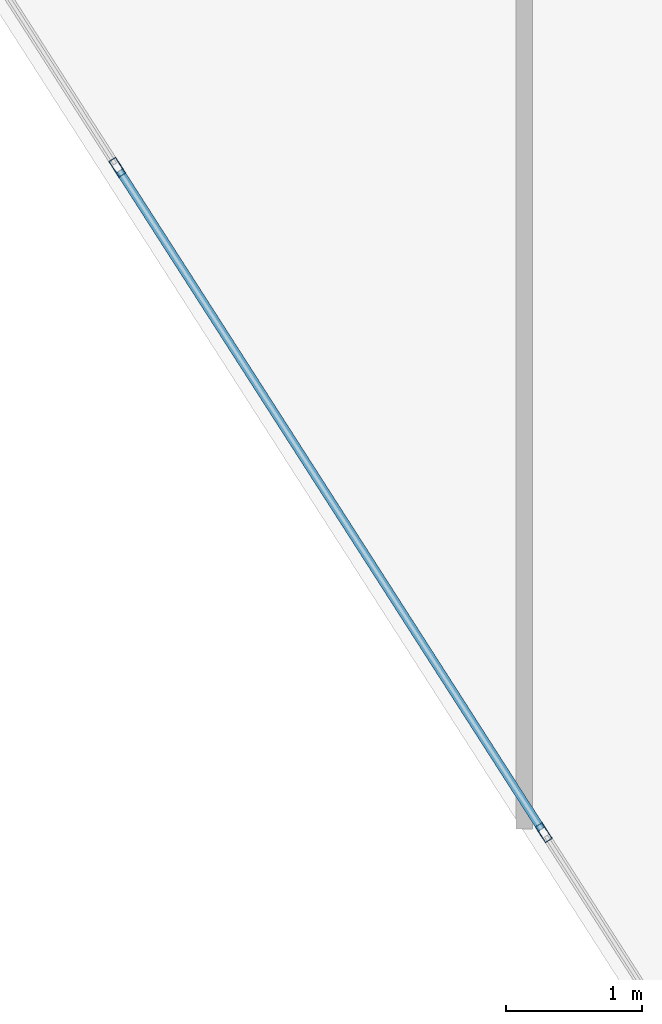
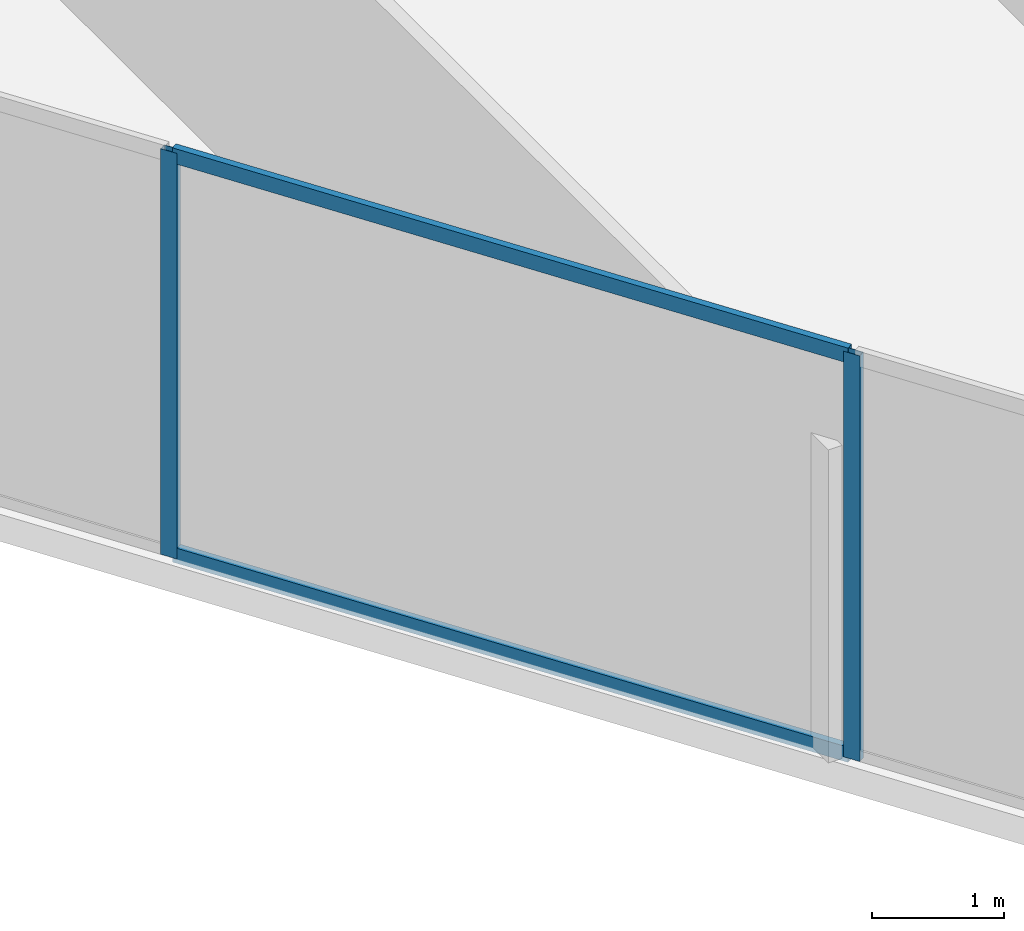
# One storey, part 17 of 26: 4 members, 1 element without a shape of its own.
"""IFC4 building model written with IfcOpenShell, lengths in metres."""

import ifcopenshell
import ifcopenshell.guid

model = None  # the IFC model being written
_history = None  # IfcOwnerHistory: only IFC2X3 demands one
_inside = {}  # id of a spatial element -> (the spatial element, [elements in it])
_under = {}  # id of a project, library or spatial element -> (it, [spatial elements below it])
_declared = {}  # id of a project -> (the project, [libraries it declares])
_typed = {}  # id of a type object -> (the type object, [elements of that type])
_made_of = {}  # id of a material, layer set ... -> (it, [elements and type objects made of it])


def new_model(schema):
    """Start an empty IFC model of exactly this schema.

    Asked for "IFC4X3", IfcOpenShell would pick the latest addendum, in which some entities
    have other attributes; the version numbers below select the first issue.
    IFC2X3 requires an IfcOwnerHistory on every rooted entity: one is made here for all.
    """
    global model, _history
    if schema == "IFC4X3":
        model = ifcopenshell.file(schema_version=(4, 3, 0, 0))
    else:
        model = ifcopenshell.file(schema=schema)
    _inside.clear()
    _under.clear()
    _declared.clear()
    _typed.clear()
    _made_of.clear()
    _history = None
    if model.schema == "IFC2X3":
        org = make("IfcOrganization", Name="unknown")
        user = make(
            "IfcPersonAndOrganization",
            ThePerson=make("IfcPerson", FamilyName="unknown"),
            TheOrganization=org,
        )
        app = make(
            "IfcApplication",
            ApplicationDeveloper=org,
            Version="unknown",
            ApplicationFullName="unknown",
            ApplicationIdentifier="unknown",
        )
        _history = make(
            "IfcOwnerHistory",
            OwningUser=user,
            OwningApplication=app,
            ChangeAction="ADDED",
            CreationDate=0,
        )
    return model


def make(cls, **values):
    """One entity of the class cls with the attributes given. An attribute that is None is left unset."""
    return model.create_entity(
        cls, **{name: value for name, value in values.items() if value is not None}
    )


def rooted(cls, **values):
    """An entity with a GlobalId (a new one), such as an element, a storey or a relation."""
    return make(cls, GlobalId=ifcopenshell.guid.new(), OwnerHistory=_history, **values)


def si_unit(unit_type, name, prefix=None):
    """IfcSIUnit, for example si_unit("LENGTHUNIT", "METRE", prefix="MILLI")."""
    return make("IfcSIUnit", UnitType=unit_type, Prefix=prefix, Name=name)


def assignment(units):
    """IfcUnitAssignment: the units of a project."""
    return None if units is None else make("IfcUnitAssignment", Units=units)


def point(xyz):
    """IfcCartesianPoint."""
    return None if xyz is None else make("IfcCartesianPoint", Coordinates=xyz)


def direction(xyz):
    """IfcDirection."""
    return None if xyz is None else make("IfcDirection", DirectionRatios=xyz)


def frame(location, z_axis=None, x_axis=None):
    """IfcAxis2Placement3D, a coordinate frame: its origin and axes. An axis left out is left unset."""
    return make(
        "IfcAxis2Placement3D",
        Location=point(location),
        Axis=direction(z_axis),
        RefDirection=direction(x_axis),
    )


def frame_2d(location, x_axis=None):
    """IfcAxis2Placement2D, a coordinate frame in the plane: its origin and x axis."""
    return make(
        "IfcAxis2Placement2D", Location=point(location), RefDirection=direction(x_axis)
    )


def origin():
    """The frame at (0, 0, 0) with its axes left unset."""
    return frame((0.0, 0.0, 0.0))


def origin_2d():
    """The frame at (0, 0) in the plane with its x axis left unset."""
    return frame_2d((0.0, 0.0))


def place(relative_to, where):
    """IfcLocalPlacement: puts the frame where relative to a parent placement (None: the world)."""
    return make(
        "IfcLocalPlacement", PlacementRelTo=relative_to, RelativePlacement=where
    )


def context(
    kind, dimensions, precision=None, world=None, true_north=None, identifier=None
):
    """IfcGeometricRepresentationContext, for example the 3D "Model" context."""
    return make(
        "IfcGeometricRepresentationContext",
        ContextIdentifier=identifier,
        ContextType=kind,
        CoordinateSpaceDimension=dimensions,
        Precision=precision,
        WorldCoordinateSystem=world,
        TrueNorth=true_north,
    )


def subcontext(parent, identifier, kind, view, scale=None):
    """IfcGeometricRepresentationSubContext, for example "Body" below "Model"."""
    return make(
        "IfcGeometricRepresentationSubContext",
        ContextIdentifier=identifier,
        ContextType=kind,
        ParentContext=parent,
        TargetScale=scale,
        TargetView=view,
    )


def project(units=None, contexts=None):
    """IfcProject with its units and contexts."""
    return rooted(
        "IfcProject",
        Name="project",
        RepresentationContexts=contexts,
        UnitsInContext=assignment(units),
    )


def spatial(cls, under=None, at=None, **own):
    """A site, building, storey or space (cls), placed at a placement, below another one or the project."""
    s = rooted(cls, ObjectPlacement=at, **own)
    if under is not None:
        _under.setdefault(under.id(), (under, []))[1].append(s)
    return s


def profile(cls, at=None, kind="AREA", **sizes):
    """A parametric profile (cls). Its sizes go by their IFC names, for example OverallWidth=200.0."""
    return make(cls, ProfileType=kind, Position=at, **sizes)


def hollow_rectangle(**sizes):
    """IfcRectangleHollowProfileDef."""
    return profile("IfcRectangleHollowProfileDef", **sizes)


def extrude(swept, where, along, depth):
    """IfcExtrudedAreaSolid: the profile swept, set in the frame where, extruded along a direction by depth."""
    return make(
        "IfcExtrudedAreaSolid",
        SweptArea=swept,
        Position=where,
        ExtrudedDirection=direction(along),
        Depth=depth,
    )


def shape(context_of_items, identifier, shape_type, items):
    """IfcShapeRepresentation: the items that make up one representation, for example the "Body"."""
    return make(
        "IfcShapeRepresentation",
        ContextOfItems=context_of_items,
        RepresentationIdentifier=identifier,
        RepresentationType=shape_type,
        Items=items,
    )


def material(Name=None, Category=None):
    """IfcMaterial."""
    return make("IfcMaterial", Name=Name, Category=Category)


def layer(
    of_material, thickness, ventilated=None, Name=None, Category=None, Priority=None
):
    """IfcMaterialLayer: one layer of a wall or slab, of a material (None: an air gap)."""
    return make(
        "IfcMaterialLayer",
        Material=of_material,
        LayerThickness=thickness,
        IsVentilated=ventilated,
        Name=Name,
        Category=Category,
        Priority=Priority,
    )


def layer_set(layers, Name=None):
    """IfcMaterialLayerSet."""
    return make("IfcMaterialLayerSet", MaterialLayers=layers, LayerSetName=Name)


def material_profile(
    of_material, cross_section, Name=None, Category=None, Priority=None
):
    """IfcMaterialProfile: a cross section and its material."""
    return make(
        "IfcMaterialProfile",
        Name=Name,
        Material=of_material,
        Profile=cross_section,
        Priority=Priority,
        Category=Category,
    )


def profile_set(profiles, Name=None, composite=None):
    """IfcMaterialProfileSet."""
    return make(
        "IfcMaterialProfileSet",
        Name=Name,
        MaterialProfiles=profiles,
        CompositeProfile=composite,
    )


def made_of(thing, what):
    """Note that an element or type object is made of a material, layer set ...; save() writes the relation."""
    if what is not None:
        _made_of.setdefault(what.id(), (what, []))[1].append(thing)
    return thing


def type_object(cls, material=None, **own):
    """A type object (cls), such as IfcWallType, which elements share."""
    return made_of(rooted(cls, **own), material)


def element(
    cls,
    number,
    at=None,
    inside=None,
    cuts=None,
    type_object=None,
    material=None,
    context=None,
    identifier="Body",
    shape_type=None,
    held_by="IfcProductDefinitionShape",
    body=None,
    shapes=None,
    **own,
):
    """One element of the class cls, such as IfcWall. Its Tag is "e" and its number.

    at: its placement. inside: the storey or other place that contains it. cuts: it is an
    opening in that element (IfcRelVoidsElement). A single representation is given by context,
    identifier, shape_type and body (its items); several are given by shapes. held_by: the class
    of the entity that holds the representations. save() writes the other relations.
    """
    e = rooted(cls, Tag="e%d" % number, ObjectPlacement=at, **own)
    if body is not None:
        shapes = [shape(context, identifier, shape_type, body)]
    if shapes is not None:
        e.Representation = make(held_by, Representations=shapes)
    if inside is not None:
        _inside.setdefault(inside.id(), (inside, []))[1].append(e)
    if cuts is not None:
        rooted(
            "IfcRelVoidsElement", RelatingBuildingElement=cuts, RelatedOpeningElement=e
        )
    if type_object is not None:
        _typed.setdefault(type_object.id(), (type_object, []))[1].append(e)
    return made_of(e, material)


def aggregate(whole, parts):
    """IfcRelAggregates: a whole, such as a stair, and the parts it consists of."""
    return rooted("IfcRelAggregates", RelatingObject=whole, RelatedObjects=parts)


def save(model, path):
    """Write the relations noted so far, then the file.

    IfcRelAggregates (storeys below a building ...), IfcRelContainedInSpatialStructure (elements
    in a storey), IfcRelDefinesByType, IfcRelAssociatesMaterial and IfcRelDeclares: one each for
    every whole, place, type object, material and project.
    """
    for whole, parts in _under.values():
        aggregate(whole, parts)
    for where, things in _inside.values():
        rooted(
            "IfcRelContainedInSpatialStructure",
            RelatedElements=things,
            RelatingStructure=where,
        )
    for kind, things in _typed.values():
        rooted("IfcRelDefinesByType", RelatedObjects=things, RelatingType=kind)
    for what, things in _made_of.values():
        rooted("IfcRelAssociatesMaterial", RelatedObjects=things, RelatingMaterial=what)
    for by, libraries in _declared.values():
        rooted("IfcRelDeclares", RelatingContext=by, RelatedDefinitions=libraries)
    model.write(path)


model = new_model("IFC4")

# Units and contexts
model_context = context("Model", 3, precision=1e-05, world=origin(), true_north=direction((0.0, 1.0)))
body_context = subcontext(model_context, "Body", "Model", "MODEL_VIEW")
ifc_project = project(units=[si_unit("LENGTHUNIT", "METRE"), si_unit("AREAUNIT", "SQUARE_METRE"), si_unit("VOLUMEUNIT", "CUBIC_METRE"), si_unit("PLANEANGLEUNIT", "RADIAN"), si_unit("MASSUNIT", "GRAM", prefix="KILO")], contexts=[model_context])

# Site, building, storey
site_placement = place(None, origin())
site = spatial("IfcSite", under=ifc_project, at=site_placement, CompositionType="ELEMENT")
building_placement = place(site_placement, origin())
building = spatial("IfcBuilding", under=site, at=building_placement, Name="Kravanh Interchange Tower", CompositionType="ELEMENT")
storey_placement = place(building_placement, frame((0.0, 0.0, 136.0)))
storey = spatial("IfcBuildingStorey", under=building, at=storey_placement, Name="L32", CompositionType="ELEMENT", Elevation=136.0)

# Curtain wall, members
ifc_material_1 = material(Name="Anodised Bronze Aluminium", Category="aluminium")
ifc_layer = layer(ifc_material_1, 0.179931640625)
ifc_layer_set = layer_set([ifc_layer], Name="Unitised Curtain Wall System CW-Z2 Mid Office")
curtain_wall_type = type_object("IfcCurtainWallType", Name="Unitised Curtain Wall System CW-Z2 Mid Office", PredefinedType="NOTDEFINED", material=ifc_layer_set)
curtain_wall_placement = place(storey_placement, origin())
curtain_wall = element("IfcCurtainWall", 1, at=curtain_wall_placement, inside=storey, type_object=curtain_wall_type, Name="L32 Unitised Curtain Wall CW-L32-04", PredefinedType="NOTDEFINED")
ifc_material_2 = material(Name="Anodised Bronze Aluminium", Category="aluminium")
ifc_material_profile_1 = material_profile(ifc_material_2, hollow_rectangle(XDim=0.06005859375, YDim=0.139892578125, WallThickness=0.00390625, at=origin_2d()), Name="ALU60X140X4")
ifc_profile_set_1 = profile_set([ifc_material_profile_1], Name="Anodised Bronze Aluminium")
member_type_1 = type_object("IfcMemberType", Name="Curtain Wall Mullion ALU60X140X4 Bronze", PredefinedType="MULLION", material=ifc_profile_set_1)
member_1_placement = place(storey_placement, frame((45.8828125, 16.12109375, 0.0), z_axis=(0.0, 0.0, 1.0), x_axis=(-0.841879939476, -0.539664865919, 0.0)))
member_1 = element("IfcMember", 2, at=member_1_placement, type_object=member_type_1, Name="CW-Z2 mullion 3", PredefinedType="MULLION", context=body_context, shape_type="SweptSolid", body=[
    extrude(hollow_rectangle(XDim=0.06005859375, YDim=0.139892578125, WallThickness=0.00390625, at=origin_2d()), origin(), (0.0, 0.0, 1.0), 3.75),
])
member_2_placement = place(storey_placement, frame((42.741455078125, 21.021728515625, 0.0), z_axis=(0.0, 0.0, 1.0), x_axis=(-0.841879939476, -0.539664865919, 0.0)))
member_2 = element("IfcMember", 3, at=member_2_placement, type_object=member_type_1, Name="CW-Z2 mullion 4", PredefinedType="MULLION", context=body_context, shape_type="SweptSolid", body=[
    extrude(hollow_rectangle(XDim=0.06005859375, YDim=0.139892578125, WallThickness=0.00390625, at=origin_2d()), origin(), (0.0, 0.0, 1.0), 3.75),
])
ifc_material_3 = material(Name="Anodised Bronze Aluminium", Category="aluminium")
ifc_material_profile_2 = material_profile(ifc_material_3, hollow_rectangle(XDim=0.06005859375, YDim=0.139892578125, WallThickness=0.00390625, at=origin_2d()), Name="ALU60X140X4")
ifc_profile_set_2 = profile_set([ifc_material_profile_2], Name="Anodised Bronze Aluminium")
member_type_2 = type_object("IfcMemberType", Name="Curtain Wall Transom ALU60X140X4 Bronze", PredefinedType="USERDEFINED", material=ifc_profile_set_2)
member_3_placement = place(storey_placement, frame((45.86669921875, 16.146484375, 0.030029296875), z_axis=(-0.539677666788, 0.84187173368, 0.0), x_axis=(-0.84187173368, -0.539677666788, 0.0)))
member_3 = element("IfcMember", 4, at=member_3_placement, type_object=member_type_2, Name="CW-Z2 transom 3.1", ObjectType="TRANSOM", PredefinedType="USERDEFINED", context=body_context, shape_type="SweptSolid", body=[
    extrude(hollow_rectangle(XDim=0.06005859375, YDim=0.139892578125, WallThickness=0.00390625, at=origin_2d()), origin(), (0.0, 0.0, 1.0), 5.760986328125),
])
member_4_placement = place(storey_placement, frame((45.86669921875, 16.146484375, 3.719970703125), z_axis=(-0.539677666788, 0.84187173368, 0.0), x_axis=(-0.84187173368, -0.539677666788, 0.0)))
member_4 = element("IfcMember", 5, at=member_4_placement, type_object=member_type_2, Name="CW-Z2 transom 3.2", ObjectType="TRANSOM", PredefinedType="USERDEFINED", context=body_context, shape_type="SweptSolid", body=[
    extrude(hollow_rectangle(XDim=0.06005859375, YDim=0.139892578125, WallThickness=0.00390625, at=origin_2d()), origin(), (0.0, 0.0, 1.0), 5.760986328125),
])
aggregate(curtain_wall, [member_1, member_2, member_3, member_4])

save(model, "model.ifc")
